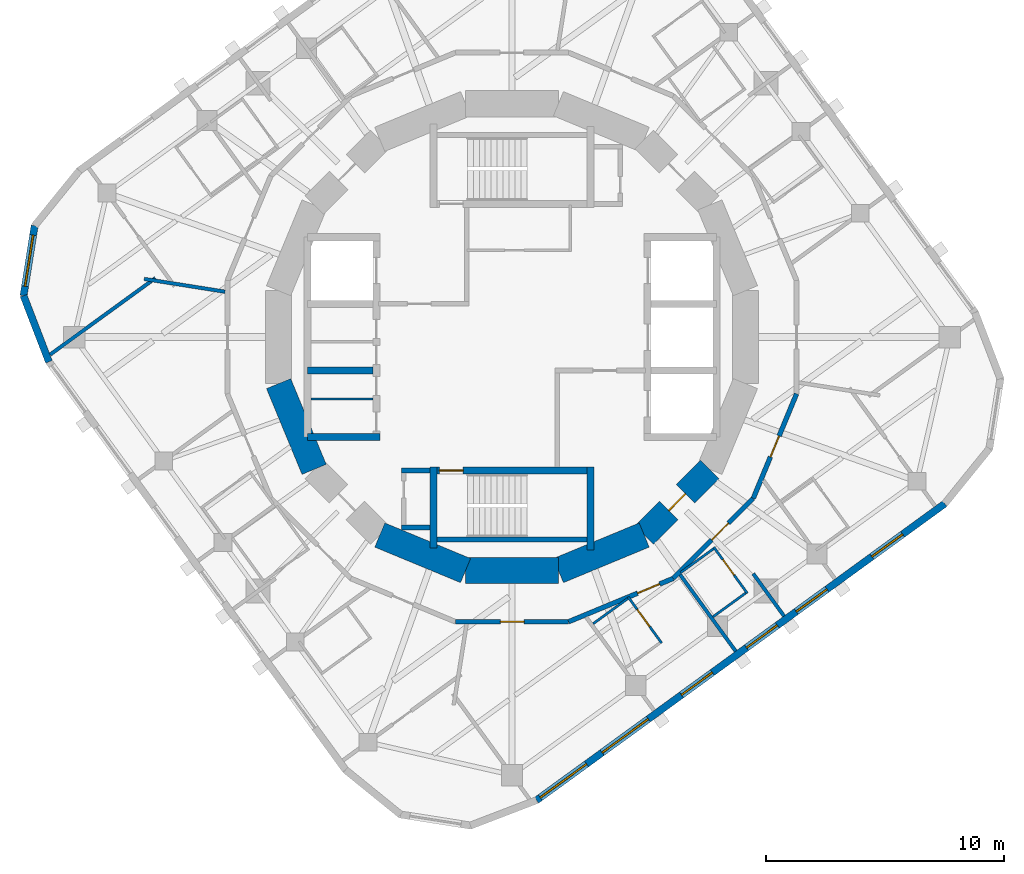
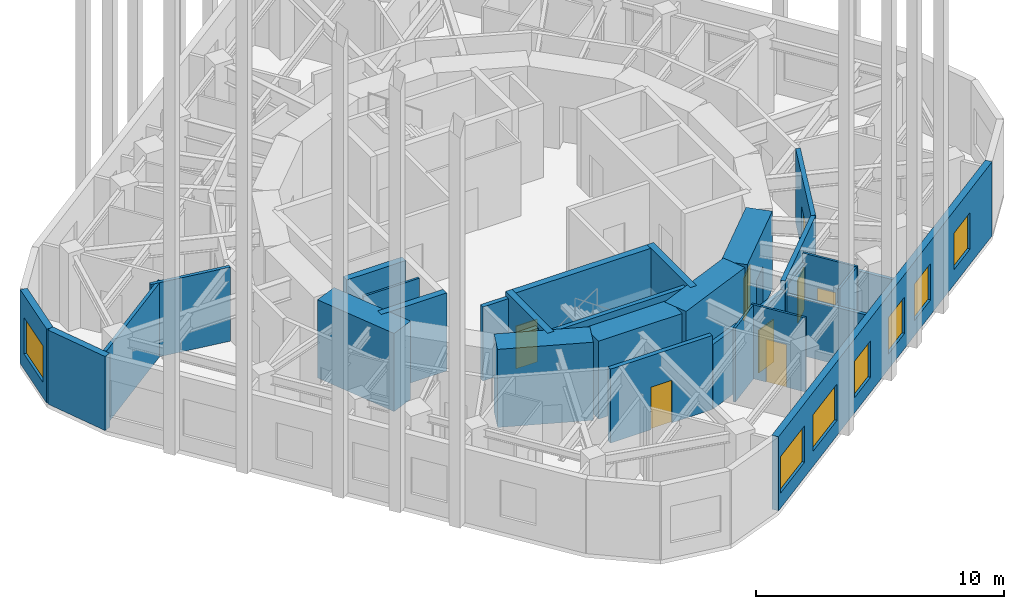
# One storey, part 4 of 9: 30 walls, 8 doors, 7 windows, 15 openings.
"""IFC4 building model written with IfcOpenShell, lengths in metres."""

from ifc_helpers import new_model, si_unit, direction, frame, frame_2d, origin, place, context, subcontext, project, spatial, rectangle, extrude, material, layer, layer_set, type_object, element, fill, save


model = new_model("IFC4")

# Units and contexts
model_context = context("Model", 3, precision=1e-05, world=origin(), true_north=direction((0.0, 1.0)))
body_context = subcontext(model_context, "Body", "Model", "MODEL_VIEW")
ifc_project = project(units=[si_unit("LENGTHUNIT", "METRE"), si_unit("AREAUNIT", "SQUARE_METRE"), si_unit("VOLUMEUNIT", "CUBIC_METRE"), si_unit("PLANEANGLEUNIT", "RADIAN"), si_unit("MASSUNIT", "GRAM", prefix="KILO")], contexts=[model_context])

# Site, building, storey
site_placement = place(None, origin())
site = spatial("IfcSite", under=ifc_project, at=site_placement, CompositionType="ELEMENT")
building_placement = place(site_placement, origin())
building = spatial("IfcBuilding", under=site, at=building_placement, Name="Nakasero Lantern House", CompositionType="ELEMENT")
storey_placement = place(building_placement, frame((0.0, 0.0, 263.75)))
storey = spatial("IfcBuildingStorey", under=building, at=storey_placement, Name="L64", CompositionType="ELEMENT", Elevation=263.75)

# Walls
ifc_material_1 = material(Name="Concrete C50/60", Category="concrete")
ifc_layer_1 = layer(ifc_material_1, 0.300048828125)
ifc_layer_set_1 = layer_set([ifc_layer_1], Name="Core inner wall 300")
wall_type_1 = type_object("IfcWallType", Name="Core inner wall 300", PredefinedType="SHEAR", material=ifc_layer_set_1)
wall_1_placement = place(storey_placement, frame((-8.60009765625, -4.199951171875, 0.0), z_axis=(0.0, 0.0, 1.0), x_axis=(1.0, 0.0, 0.0)))
element("IfcWall", 1, at=wall_1_placement, inside=storey, type_object=wall_type_1, Name="Core inner wall L64 LWS", PredefinedType="SHEAR", context=body_context, shape_type="SweptSolid", body=[
    extrude(rectangle(XDim=3.050048828125, YDim=0.300048828125, at=frame_2d((1.52490234375, 0.0))), origin(), (0.0, 0.0, 1.0), 3.85009765625),
])
wall_2_placement = place(storey_placement, frame((-8.60009765625, -1.39990234375, 0.0), z_axis=(0.0, 0.0, 1.0), x_axis=(1.0, 0.0, 0.0)))
element("IfcWall", 2, at=wall_2_placement, inside=storey, type_object=wall_type_1, Name="Core inner wall L64 LW1", PredefinedType="SHEAR", context=body_context, shape_type="SweptSolid", body=[
    extrude(rectangle(XDim=2.75, YDim=0.300048828125, at=frame_2d((1.375, 0.0))), origin(), (0.0, 0.0, 1.0), 3.85009765625),
])

# Wall, opening, door
wall_3_placement = place(storey_placement, frame((-3.449951171875, -5.60009765625, 0.0), z_axis=(0.0, 0.0, 1.0), x_axis=(1.0, 0.0, 0.0)))
wall_3 = element("IfcWall", 3, at=wall_3_placement, inside=storey, type_object=wall_type_1, Name="Core inner wall L64 SS", PredefinedType="SHEAR", context=body_context, shape_type="SweptSolid", body=[
    extrude(rectangle(XDim=6.89990234375, YDim=0.300048828125, at=frame_2d((3.449951171875, 0.0))), origin(), (0.0, 0.0, 1.0), 3.85009765625),
])
opening_1_placement = place(wall_3_placement, frame((0.39990234375, 0.0, 0.0)))
opening_1 = element("IfcOpeningElement", 4, at=opening_1_placement, cuts=wall_3, Name="Opening D05", PredefinedType="OPENING", context=body_context, shape_type="SweptSolid", body=[
    extrude(rectangle(XDim=1.0, YDim=2.10009765625, at=frame_2d((0.5, 1.050048828125))), frame((0.0, 0.169921875, 0.0), z_axis=(0.0, -1.0, 0.0), x_axis=(1.0, 0.0, 0.0)), (0.0, 0.0, 1.0), 0.340087890625),
])
ifc_material_2 = material(Name="Timber C24", Category="wood")
door_type_1 = type_object("IfcDoorType", Name="Core door FD60S 1000", OperationType="SINGLE_SWING_LEFT", PredefinedType="DOOR", material=ifc_material_2)
door_1_placement = place(opening_1_placement, origin())
door_1 = element("IfcDoor", 5, at=door_1_placement, inside=storey, type_object=door_type_1, Name="Door L64 D-ST2", OperationType="SINGLE_SWING_LEFT", OverallHeight=2.10009765625, OverallWidth=1.0, PredefinedType="DOOR", context=body_context, shape_type="SweptSolid", body=[
    extrude(rectangle(XDim=1.0, YDim=2.10009765625, at=frame_2d((0.5, 1.050048828125))), frame((0.0, 0.02490234375, 0.0), z_axis=(0.0, -1.0, 0.0), x_axis=(1.0, 0.0, 0.0)), (0.0, 0.0, 1.0), 0.050048828125),
])
fill(opening_1, door_1)

# Walls
wall_4_placement = place(storey_placement, frame((-3.300048828125, -5.449951171875, 0.0), z_axis=(0.0, 0.0, 1.0), x_axis=(0.0, -1.0, 0.0)))
element("IfcWall", 6, at=wall_4_placement, inside=storey, type_object=wall_type_1, Name="Core inner wall L64 SSW", PredefinedType="SHEAR", context=body_context, shape_type="SweptSolid", body=[
    extrude(rectangle(XDim=3.400146484375, YDim=0.300048828125, at=frame_2d((1.7001953125, 0.0))), origin(), (0.0, 0.0, 1.0), 3.85009765625),
])
wall_5_placement = place(storey_placement, frame((3.300048828125, -5.449951171875, 0.0), z_axis=(0.0, 0.0, 1.0), x_axis=(0.0, -1.0, 0.0)))
element("IfcWall", 7, at=wall_5_placement, inside=storey, type_object=wall_type_1, Name="Core inner wall L64 SSE", PredefinedType="SHEAR", context=body_context, shape_type="SweptSolid", body=[
    extrude(rectangle(XDim=3.5, YDim=0.300048828125, at=frame_2d((1.75, 0.0))), origin(), (0.0, 0.0, 1.0), 3.85009765625),
])
ifc_material_3 = material(Name="Blockwork", Category="masonry")
ifc_layer_2 = layer(ifc_material_3, 0.10009765625)
ifc_layer_set_2 = layer_set([ifc_layer_2], Name="Core room wall 100")
wall_type_2 = type_object("IfcWallType", Name="Core room wall 100", PredefinedType="PARTITIONING", material=ifc_layer_set_2)
wall_6_placement = place(storey_placement, frame((-8.449951171875, -2.60009765625, 0.0), z_axis=(0.0, 0.0, 1.0), x_axis=(1.0, 0.0, 0.0)))
element("IfcWall", 8, at=wall_6_placement, inside=storey, type_object=wall_type_2, Name="Core room wall L64 CR-SH-LW1b", PredefinedType="PARTITIONING", context=body_context, shape_type="SweptSolid", body=[
    extrude(rectangle(XDim=2.599853515625, YDim=0.10009765625, at=frame_2d((1.2998046875, 0.0))), origin(), (0.0, 0.0, 1.0), 3.64990234375),
])
ifc_material_4 = material(Name="Concrete C50/60", Category="concrete")
ifc_layer_3 = layer(ifc_material_4, 1.10009765625)
ifc_layer_set_3 = layer_set([ifc_layer_3], Name="Core wall 1100")
wall_type_3 = type_object("IfcWallType", Name="Core wall 1100", PredefinedType="SHEAR", material=ifc_layer_set_3)
for number, where, z_axis, x_axis, name in (
    (9, (-9.807861328125, -1.950927734375, 0.0), (0.0, 0.0, 1.0), (0.382690736062, -0.923876507187, 0.0), "Core wall L64 facet 9"),
    (10, (-5.5556640625, -8.314697265625, 0.0), (0.0, 0.0, 1.0), (0.923876507187, -0.382690736062, 0.0), "Core wall L64 facet 11"),
    (11, (-1.950927734375, -9.807861328125, 0.0), (0.0, 0.0, 1.0), (1.0, 0.0, 0.0), "Core wall L64 facet 12"),
    (12, (1.950927734375, -9.807861328125, 0.0), (0.0, 0.0, 1.0), (0.923876507187, 0.382690736062, 0.0), "Core wall L64 facet 13"),
):
    element("IfcWall", number, at=place(storey_placement, frame(where, z_axis=z_axis, x_axis=x_axis)), inside=storey, type_object=wall_type_3, Name=name, PredefinedType="SHEAR", context=body_context, shape_type="SweptSolid", body=[
        extrude(rectangle(XDim=3.90185546875, YDim=1.10009765625, at=frame_2d((1.950927734375, 0.0))), origin(), (0.0, 0.0, 1.0), 3.85009765625),
    ])

# Wall, opening, door
wall_7_placement = place(storey_placement, frame((5.5556640625, -8.314697265625, 0.0), z_axis=(0.0, 0.0, 1.0), x_axis=(0.707106781187, 0.707106781187, 0.0)))
wall_7 = element("IfcWall", 13, at=wall_7_placement, inside=storey, type_object=wall_type_3, Name="Core wall L64 facet 14", PredefinedType="SHEAR", context=body_context, shape_type="SweptSolid", body=[
    extrude(rectangle(XDim=3.90185546875, YDim=1.10009765625, at=frame_2d((1.950927734375, 0.0))), origin(), (0.0, 0.0, 1.0), 3.85009765625),
])
opening_2_placement = place(wall_7_placement, frame((1.450927734375, 0.0, 0.0)))
opening_2 = element("IfcOpeningElement", 14, at=opening_2_placement, cuts=wall_7, Name="Opening D05", PredefinedType="OPENING", context=body_context, shape_type="SweptSolid", body=[
    extrude(rectangle(XDim=1.0, YDim=2.10009765625, at=frame_2d((0.5, 1.050048828125))), frame((0.0, 0.570068359375, 0.0), z_axis=(0.0, -1.0, 0.0), x_axis=(1.0, 0.0, 0.0)), (0.0, 0.0, 1.0), 1.14013671875),
])
door_2_placement = place(opening_2_placement, origin())
door_2 = element("IfcDoor", 15, at=door_2_placement, inside=storey, type_object=door_type_1, Name="Door L64 D-CORE14", OperationType="SINGLE_SWING_LEFT", OverallHeight=2.10009765625, OverallWidth=1.0, PredefinedType="DOOR", context=body_context, shape_type="SweptSolid", body=[
    extrude(rectangle(XDim=1.0, YDim=2.10009765625, at=frame_2d((0.5, 1.050048828125))), frame((0.0, 0.02490234375, 0.0), z_axis=(0.0, -1.0, 0.0), x_axis=(1.0, 0.0, 0.0)), (0.0, 0.0, 1.0), 0.050048828125),
])
fill(opening_2, door_2)

ifc_material_5 = material(Name="Blockwork", Category="masonry")
ifc_layer_4 = layer(ifc_material_5, 0.199951171875)
ifc_layer_set_4 = layer_set([ifc_layer_4], Name="Corridor wall 200")
wall_type_4 = type_object("IfcWallType", Name="Corridor wall 200", PredefinedType="PARTITIONING", material=ifc_layer_set_4)
wall_8_placement = place(storey_placement, frame((11.957763671875, -2.378662109375, 0.0), z_axis=(0.0, 0.0, 1.0), x_axis=(-0.382653970627, -0.923891735412, 0.0)))
wall_8 = element("IfcWall", 16, at=wall_8_placement, inside=storey, type_object=wall_type_4, Name="Corridor wall L64 RC01a", PredefinedType="PARTITIONING", context=body_context, shape_type="SweptSolid", body=[
    extrude(rectangle(XDim=4.757080078125, YDim=0.199951171875, at=frame_2d((2.37841796875, 0.0))), origin(), (0.0, 0.0, 1.0), 3.64990234375),
])
opening_3_placement = place(wall_8_placement, frame((1.919921875, 0.0, 0.0)))
opening_3 = element("IfcOpeningElement", 17, at=opening_3_placement, cuts=wall_8, Name="Opening D01", PredefinedType="OPENING", context=body_context, shape_type="SweptSolid", body=[
    extrude(rectangle(XDim=0.949951171875, YDim=2.10009765625, at=frame_2d((0.47509765625, 1.050048828125))), frame((0.0, 0.119873046875, 0.0), z_axis=(0.0, -1.0, 0.0), x_axis=(1.0, 0.0, 0.0)), (0.0, 0.0, 1.0), 0.239990234375),
])
ifc_material_6 = material(Name="Timber C24", Category="wood")
door_type_2 = type_object("IfcDoorType", Name="Bedroom door FD30S 950", OperationType="SINGLE_SWING_LEFT", PredefinedType="DOOR", material=ifc_material_6)
door_3_placement = place(opening_3_placement, origin())
door_3 = element("IfcDoor", 18, at=door_3_placement, inside=storey, type_object=door_type_2, Name="Door L64 D3-06", OperationType="SINGLE_SWING_RIGHT", OverallHeight=2.10009765625, OverallWidth=0.949951171875, PredefinedType="DOOR", context=body_context, shape_type="SweptSolid", body=[
    extrude(rectangle(XDim=0.949951171875, YDim=2.10009765625, at=frame_2d((0.47509765625, 1.050048828125))), frame((0.0, 0.02490234375, 0.0), z_axis=(0.0, -1.0, 0.0), x_axis=(1.0, 0.0, 0.0)), (0.0, 0.0, 1.0), 0.050048828125),
])
fill(opening_3, door_3)

wall_9_placement = place(storey_placement, frame((10.137451171875, -6.773681640625, 0.0), z_axis=(0.0, 0.0, 1.0), x_axis=(-0.707106781187, -0.707106781187, 0.0)))
wall_9 = element("IfcWall", 19, at=wall_9_placement, inside=storey, type_object=wall_type_4, Name="Corridor wall L64 RC02a", PredefinedType="PARTITIONING", context=body_context, shape_type="SweptSolid", body=[
    extrude(rectangle(XDim=4.757080078125, YDim=0.199951171875, at=frame_2d((2.37841796875, 0.0))), origin(), (0.0, 0.0, 1.0), 3.64990234375),
])
opening_4_placement = place(wall_9_placement, frame((1.469970703125, 0.0, 0.0)))
opening_4 = element("IfcOpeningElement", 20, at=opening_4_placement, cuts=wall_9, Name="Opening D07", PredefinedType="OPENING", context=body_context, shape_type="SweptSolid", body=[
    extrude(rectangle(XDim=1.0, YDim=2.10009765625, at=frame_2d((0.5, 1.050048828125))), frame((0.0, 0.119873046875, 0.0), z_axis=(0.0, -1.0, 0.0), x_axis=(1.0, 0.0, 0.0)), (0.0, 0.0, 1.0), 0.239990234375),
])
ifc_material_7 = material(Name="Timber C24", Category="wood")
door_type_3 = type_object("IfcDoorType", Name="Room door FD30S 1000", OperationType="SINGLE_SWING_LEFT", PredefinedType="DOOR", material=ifc_material_7)
door_4_placement = place(opening_4_placement, origin())
door_4 = element("IfcDoor", 21, at=door_4_placement, inside=storey, type_object=door_type_3, Name="Door L64 D3-04", OperationType="SINGLE_SWING_LEFT", OverallHeight=2.10009765625, OverallWidth=1.0, PredefinedType="DOOR", context=body_context, shape_type="SweptSolid", body=[
    extrude(rectangle(XDim=1.0, YDim=2.10009765625, at=frame_2d((0.5, 1.050048828125))), frame((0.0, 0.02490234375, 0.0), z_axis=(0.0, -1.0, 0.0), x_axis=(1.0, 0.0, 0.0)), (0.0, 0.0, 1.0), 0.050048828125),
])
fill(opening_4, door_4)

wall_10_placement = place(storey_placement, frame((6.773681640625, -10.137451171875, 0.0), z_axis=(0.0, 0.0, 1.0), x_axis=(-0.923891735412, -0.382653970627, 0.0)))
wall_10 = element("IfcWall", 22, at=wall_10_placement, inside=storey, type_object=wall_type_4, Name="Corridor wall L64 RC03a", PredefinedType="PARTITIONING", context=body_context, shape_type="SweptSolid", body=[
    extrude(rectangle(XDim=4.757080078125, YDim=0.199951171875, at=frame_2d((2.37841796875, 0.0))), origin(), (0.0, 0.0, 1.0), 3.18994140625),
])
opening_5_placement = place(wall_10_placement, frame((0.6201171875, 0.0, 0.0)))
opening_5 = element("IfcOpeningElement", 23, at=opening_5_placement, cuts=wall_10, Name="Opening D07", PredefinedType="OPENING", context=body_context, shape_type="SweptSolid", body=[
    extrude(rectangle(XDim=1.0, YDim=2.10009765625, at=frame_2d((0.5, 1.050048828125))), frame((0.0, 0.119873046875, 0.0), z_axis=(0.0, -1.0, 0.0), x_axis=(1.0, 0.0, 0.0)), (0.0, 0.0, 1.0), 0.239990234375),
])
door_5_placement = place(opening_5_placement, origin())
door_5 = element("IfcDoor", 24, at=door_5_placement, inside=storey, type_object=door_type_3, Name="Door L64 D3-03", OperationType="SINGLE_SWING_LEFT", OverallHeight=2.10009765625, OverallWidth=1.0, PredefinedType="DOOR", context=body_context, shape_type="SweptSolid", body=[
    extrude(rectangle(XDim=1.0, YDim=2.10009765625, at=frame_2d((0.5, 1.050048828125))), frame((0.0, 0.02490234375, 0.0), z_axis=(0.0, -1.0, 0.0), x_axis=(1.0, 0.0, 0.0)), (0.0, 0.0, 1.0), 0.050048828125),
])
fill(opening_5, door_5)

wall_11_placement = place(storey_placement, frame((2.378662109375, -11.957763671875, 0.0), z_axis=(0.0, 0.0, 1.0), x_axis=(-1.0, 0.0, 0.0)))
wall_11 = element("IfcWall", 25, at=wall_11_placement, inside=storey, type_object=wall_type_4, Name="Corridor wall L64 RC04a", PredefinedType="PARTITIONING", context=body_context, shape_type="SweptSolid", body=[
    extrude(rectangle(XDim=4.75732421875, YDim=0.199951171875, at=frame_2d((2.378662109375, 0.0))), origin(), (0.0, 0.0, 1.0), 3.64990234375),
])
opening_6_placement = place(wall_11_placement, frame((1.8701171875, 0.0, 0.0)))
opening_6 = element("IfcOpeningElement", 26, at=opening_6_placement, cuts=wall_11, Name="Opening D03", PredefinedType="OPENING", context=body_context, shape_type="SweptSolid", body=[
    extrude(rectangle(XDim=1.0, YDim=2.10009765625, at=frame_2d((0.5, 1.050048828125))), frame((0.0, 0.119873046875, 0.0), z_axis=(0.0, -1.0, 0.0), x_axis=(1.0, 0.0, 0.0)), (0.0, 0.0, 1.0), 0.239990234375),
])
ifc_material_8 = material(Name="Timber C24", Category="wood")
door_type_4 = type_object("IfcDoorType", Name="Lounge door FD30S 1000", OperationType="SINGLE_SWING_LEFT", PredefinedType="DOOR", material=ifc_material_8)
door_6_placement = place(opening_6_placement, origin())
door_6 = element("IfcDoor", 27, at=door_6_placement, inside=storey, type_object=door_type_4, Name="Door L64 DK3", OperationType="SINGLE_SWING_LEFT", OverallHeight=2.10009765625, OverallWidth=1.0, PredefinedType="DOOR", context=body_context, shape_type="SweptSolid", body=[
    extrude(rectangle(XDim=1.0, YDim=2.10009765625, at=frame_2d((0.5, 1.050048828125))), frame((0.0, 0.02490234375, 0.0), z_axis=(0.0, -1.0, 0.0), x_axis=(1.0, 0.0, 0.0)), (0.0, 0.0, 1.0), 0.050048828125),
])
fill(opening_6, door_6)

ifc_material_9 = material(Name="Blockwork", Category="masonry")
ifc_layer_5 = layer(ifc_material_9, 0.10009765625)
ifc_layer_set_5 = layer_set([ifc_layer_5], Name="En-suite wall 100")
wall_type_5 = type_object("IfcWallType", Name="En-suite wall 100", PredefinedType="PARTITIONING", material=ifc_layer_set_5)
wall_12_placement = place(storey_placement, frame((4.878173828125, -10.912841796875, 0.0), z_axis=(0.0, 0.0, 1.0), x_axis=(0.587772420479, -0.809026317077, 0.0)))
wall_12 = element("IfcWall", 28, at=wall_12_placement, inside=storey, type_object=wall_type_5, Name="En-suite wall L64 ES3-03", PredefinedType="PARTITIONING", context=body_context, shape_type="SweptSolid", body=[
    extrude(rectangle(XDim=2.39990234375, YDim=0.10009765625, at=frame_2d((1.199951171875, 0.0))), origin(), (0.0, 0.0, 1.0), 3.64990234375),
])
opening_7_placement = place(wall_12_placement, frame((0.64990234375, 0.0, 0.0)))
opening_7 = element("IfcOpeningElement", 29, at=opening_7_placement, cuts=wall_12, Name="Opening D16", PredefinedType="OPENING", context=body_context, shape_type="SweptSolid", body=[
    extrude(rectangle(XDim=0.89990234375, YDim=2.10009765625, at=frame_2d((0.449951171875, 1.050048828125))), frame((0.0, 0.070068359375, 0.0), z_axis=(0.0, -1.0, 0.0), x_axis=(1.0, 0.0, 0.0)), (0.0, 0.0, 1.0), 0.14013671875),
])
ifc_material_10 = material(Name="Timber C24", Category="wood")
door_type_5 = type_object("IfcDoorType", Name="Accessible WC door 900", OperationType="SINGLE_SWING_RIGHT", PredefinedType="DOOR", material=ifc_material_10)
door_7_placement = place(opening_7_placement, origin())
door_7 = element("IfcDoor", 30, at=door_7_placement, inside=storey, type_object=door_type_5, Name="Door L64 DE3-03", OperationType="SINGLE_SWING_LEFT", OverallHeight=2.10009765625, OverallWidth=0.89990234375, PredefinedType="DOOR", context=body_context, shape_type="SweptSolid", body=[
    extrude(rectangle(XDim=0.89990234375, YDim=2.10009765625, at=frame_2d((0.449951171875, 1.050048828125))), frame((0.0, 0.02490234375, 0.0), z_axis=(0.0, -1.0, 0.0), x_axis=(1.0, 0.0, 0.0)), (0.0, 0.0, 1.0), 0.050048828125),
])
fill(opening_7, door_7)

# Wall
wall_13_placement = place(storey_placement, frame((3.410888671875, -12.040771484375, 0.0), z_axis=(0.0, 0.0, 1.0), x_axis=(0.809005783898, 0.58780068188, 0.0)))
element("IfcWall", 31, at=wall_13_placement, inside=storey, type_object=wall_type_5, Name="En-suite wall L64 EI3-03", PredefinedType="PARTITIONING", context=body_context, shape_type="SweptSolid", body=[
    extrude(rectangle(XDim=1.800048828125, YDim=0.10009765625, at=frame_2d((0.89990234375, 0.0))), origin(), (0.0, 0.0, 1.0), 3.64990234375),
])

# Wall, opening, door
wall_14_placement = place(storey_placement, frame((8.47802734375, -8.822021484375, 0.0), z_axis=(0.0, 0.0, 1.0), x_axis=(0.587772420479, -0.809026317077, 0.0)))
wall_14 = element("IfcWall", 32, at=wall_14_placement, inside=storey, type_object=wall_type_5, Name="En-suite wall L64 ES3-04", PredefinedType="PARTITIONING", context=body_context, shape_type="SweptSolid", body=[
    extrude(rectangle(XDim=2.39990234375, YDim=0.10009765625, at=frame_2d((1.199951171875, 0.0))), origin(), (0.0, 0.0, 1.0), 3.64990234375),
])
opening_8_placement = place(wall_14_placement, frame((0.64990234375, 0.0, 0.0)))
opening_8 = element("IfcOpeningElement", 33, at=opening_8_placement, cuts=wall_14, Name="Opening D15", PredefinedType="OPENING", context=body_context, shape_type="SweptSolid", body=[
    extrude(rectangle(XDim=0.800048828125, YDim=2.10009765625, at=frame_2d((0.39990234375, 1.050048828125))), frame((0.0, 0.070068359375, 0.0), z_axis=(0.0, -1.0, 0.0), x_axis=(1.0, 0.0, 0.0)), (0.0, 0.0, 1.0), 0.14013671875),
])
ifc_material_11 = material(Name="Timber C24", Category="wood")
door_type_6 = type_object("IfcDoorType", Name="Cleaner's store door FD30S 800", OperationType="SINGLE_SWING_LEFT", PredefinedType="DOOR", material=ifc_material_11)
door_8_placement = place(opening_8_placement, origin())
door_8 = element("IfcDoor", 34, at=door_8_placement, inside=storey, type_object=door_type_6, Name="Door L64 DE3-04", OperationType="SINGLE_SWING_LEFT", OverallHeight=2.10009765625, OverallWidth=0.800048828125, PredefinedType="DOOR", context=body_context, shape_type="SweptSolid", body=[
    extrude(rectangle(XDim=0.800048828125, YDim=2.10009765625, at=frame_2d((0.39990234375, 1.050048828125))), frame((0.0, 0.02490234375, 0.0), z_axis=(0.0, -1.0, 0.0), x_axis=(1.0, 0.0, 0.0)), (0.0, 0.0, 1.0), 0.050048828125),
])
fill(opening_8, door_8)

# Walls
wall_15_placement = place(storey_placement, frame((8.443359375, -11.751708984375, 0.0), z_axis=(0.0, 0.0, 1.0), x_axis=(0.809040252033, 0.58775323954, 0.0)))
element("IfcWall", 35, at=wall_15_placement, inside=storey, type_object=wall_type_5, Name="En-suite wall L64 EE3-04", PredefinedType="PARTITIONING", context=body_context, shape_type="SweptSolid", body=[
    extrude(rectangle(XDim=1.7001953125, YDim=0.10009765625, at=frame_2d((0.85009765625, 0.0))), origin(), (0.0, 0.0, 1.0), 3.64990234375),
])
wall_16_placement = place(storey_placement, frame((7.091552734375, -9.89111328125, 0.0), z_axis=(0.0, 0.0, 1.0), x_axis=(0.808990636343, 0.587821529301, 0.0)))
element("IfcWall", 36, at=wall_16_placement, inside=storey, type_object=wall_type_5, Name="En-suite wall L64 EI3-04", PredefinedType="PARTITIONING", context=body_context, shape_type="SweptSolid", body=[
    extrude(rectangle(XDim=1.699951171875, YDim=0.10009765625, at=frame_2d((0.85009765625, 0.0))), origin(), (0.0, 0.0, 1.0), 3.18994140625),
])

# Wall, opening, window
ifc_material_12 = material(Name="Aluminium rainscreen on blockwork", Category="masonry")
ifc_layer_6 = layer(ifc_material_12, 0.300048828125)
ifc_layer_set_6 = layer_set([ifc_layer_6], Name="Facade wall 300")
wall_type_6 = type_object("IfcWallType", Name="Facade wall 300", PredefinedType="SOLIDWALL", material=ifc_layer_set_6)
wall_17_placement = place(storey_placement, frame((-20.05908203125, 4.683837890625, 0.0), z_axis=(0.0, 0.0, 1.0), x_axis=(-0.156413227021, -0.987691704133, 0.0)))
wall_17 = element("IfcWall", 37, at=wall_17_placement, inside=storey, type_object=wall_type_6, Name="Facade wall L64 FW1C2", PredefinedType="SOLIDWALL", context=body_context, shape_type="SweptSolid", body=[
    extrude(rectangle(XDim=2.9765625, YDim=0.300048828125, at=frame_2d((1.48828125, 0.0))), origin(), (0.0, 0.0, 1.0), 3.64990234375),
])
opening_9_placement = place(wall_17_placement, frame((0.39990234375, 0.0, 0.75)))
opening_9 = element("IfcOpeningElement", 38, at=opening_9_placement, cuts=wall_17, Name="Opening W221", PredefinedType="OPENING", context=body_context, shape_type="SweptSolid", body=[
    extrude(rectangle(XDim=2.176025390625, YDim=1.800048828125, at=frame_2d((1.087890625, 0.89990234375))), frame((0.0, 0.169921875, 0.0), z_axis=(0.0, -1.0, 0.0), x_axis=(1.0, 0.0, 0.0)), (0.0, 0.0, 1.0), 0.340087890625),
])
ifc_material_13 = material(Name="Aluminium 6063-T6 and glass", Category="aluminium")
window_type_1 = type_object("IfcWindowType", Name="Corner window 2176x1800", PartitioningType="SINGLE_PANEL", PredefinedType="WINDOW", material=ifc_material_13)
window_1_placement = place(opening_9_placement, origin())
window_1 = element("IfcWindow", 39, at=window_1_placement, inside=storey, type_object=window_type_1, Name="Window L64 WC1", OverallHeight=1.800048828125, OverallWidth=2.176025390625, PartitioningType="SINGLE_PANEL", PredefinedType="WINDOW", context=body_context, shape_type="SweptSolid", body=[
    extrude(rectangle(XDim=2.176025390625, YDim=1.800048828125, at=frame_2d((1.087890625, 0.89990234375))), frame((0.0, 0.030029296875, 0.0), z_axis=(0.0, -1.0, 0.0), x_axis=(1.0, 0.0, 0.0)), (0.0, 0.0, 1.0), 0.06005859375),
])
fill(opening_9, window_1)

# Wall
wall_18_placement = place(storey_placement, frame((-20.524658203125, 1.743896484375, 0.0), z_axis=(0.0, 0.0, 1.0), x_axis=(0.35838535244, -0.933573745966, 0.0)))
element("IfcWall", 40, at=wall_18_placement, inside=storey, type_object=wall_type_6, Name="Facade wall L64 FW1C3", PredefinedType="SOLIDWALL", context=body_context, shape_type="SweptSolid", body=[
    extrude(rectangle(XDim=2.976318359375, YDim=0.300048828125, at=frame_2d((1.48828125, 0.0))), origin(), (0.0, 0.0, 1.0), 3.64990234375),
])

# Wall, openings, windows
wall_19_placement = place(storey_placement, frame((1.03466796875, -19.4580078125, 0.0), z_axis=(0.0, 0.0, 1.0), x_axis=(0.809013375328, 0.587790233451, 0.0)))
wall_19 = element("IfcWall", 41, at=wall_19_placement, inside=storey, type_object=wall_type_6, Name="Facade wall L64 FW3S", PredefinedType="SOLIDWALL", context=body_context, shape_type="SweptSolid", body=[
    extrude(rectangle(XDim=21.199951171875, YDim=0.300048828125, at=frame_2d((10.60009765625, 0.0))), origin(), (0.0, 0.0, 1.0), 3.64990234375),
])
opening_10_placement = place(wall_19_placement, frame((7.52783203125, 0.0, 0.75)))
opening_10 = element("IfcOpeningElement", 42, at=opening_10_placement, cuts=wall_19, Name="Opening W01", PredefinedType="OPENING", context=body_context, shape_type="SweptSolid", body=[
    extrude(rectangle(XDim=1.60009765625, YDim=1.800048828125, at=frame_2d((0.800048828125, 0.89990234375))), frame((0.0, 0.169921875, 0.0), z_axis=(0.0, -1.0, 0.0), x_axis=(1.0, 0.0, 0.0)), (0.0, 0.0, 1.0), 0.340087890625),
])
opening_11_placement = place(wall_19_placement, frame((10.904052734375, 0.0, 0.75)))
opening_11 = element("IfcOpeningElement", 43, at=opening_11_placement, cuts=wall_19, Name="Opening W01", PredefinedType="OPENING", context=body_context, shape_type="SweptSolid", body=[
    extrude(rectangle(XDim=1.60009765625, YDim=1.800048828125, at=frame_2d((0.800048828125, 0.89990234375))), frame((0.0, 0.169921875, 0.0), z_axis=(0.0, -1.0, 0.0), x_axis=(1.0, 0.0, 0.0)), (0.0, 0.0, 1.0), 0.340087890625),
])
opening_12_placement = place(wall_19_placement, frame((13.484619140625, 0.0, 0.75)))
opening_12 = element("IfcOpeningElement", 44, at=opening_12_placement, cuts=wall_19, Name="Opening W01", PredefinedType="OPENING", context=body_context, shape_type="SweptSolid", body=[
    extrude(rectangle(XDim=1.60009765625, YDim=1.800048828125, at=frame_2d((0.800048828125, 0.89990234375))), frame((0.0, 0.169921875, 0.0), z_axis=(0.0, -1.0, 0.0), x_axis=(1.0, 0.0, 0.0)), (0.0, 0.0, 1.0), 0.340087890625),
])
opening_13_placement = place(wall_19_placement, frame((17.410888671875, 0.0, 0.75)))
opening_13 = element("IfcOpeningElement", 45, at=opening_13_placement, cuts=wall_19, Name="Opening W01", PredefinedType="OPENING", context=body_context, shape_type="SweptSolid", body=[
    extrude(rectangle(XDim=1.60009765625, YDim=1.800048828125, at=frame_2d((0.800048828125, 0.89990234375))), frame((0.0, 0.169921875, 0.0), z_axis=(0.0, -1.0, 0.0), x_axis=(1.0, 0.0, 0.0)), (0.0, 0.0, 1.0), 0.340087890625),
])
opening_14_placement = place(wall_19_placement, frame((0.1904296875, 0.0, 0.75)))
opening_14 = element("IfcOpeningElement", 46, at=opening_14_placement, cuts=wall_19, Name="Opening W03", PredefinedType="OPENING", context=body_context, shape_type="SweptSolid", body=[
    extrude(rectangle(XDim=2.39990234375, YDim=1.800048828125, at=frame_2d((1.199951171875, 0.89990234375))), frame((0.0, 0.169921875, 0.0), z_axis=(0.0, -1.0, 0.0), x_axis=(1.0, 0.0, 0.0)), (0.0, 0.0, 1.0), 0.340087890625),
])
opening_15_placement = place(wall_19_placement, frame((3.401611328125, 0.0, 0.75)))
opening_15 = element("IfcOpeningElement", 47, at=opening_15_placement, cuts=wall_19, Name="Opening W03", PredefinedType="OPENING", context=body_context, shape_type="SweptSolid", body=[
    extrude(rectangle(XDim=2.39990234375, YDim=1.800048828125, at=frame_2d((1.199951171875, 0.89990234375))), frame((0.0, 0.169921875, 0.0), z_axis=(0.0, -1.0, 0.0), x_axis=(1.0, 0.0, 0.0)), (0.0, 0.0, 1.0), 0.340087890625),
])
ifc_material_14 = material(Name="Aluminium 6063-T6 and glass", Category="aluminium")
window_type_2 = type_object("IfcWindowType", Name="Bedroom window 1600x1800", PartitioningType="SINGLE_PANEL", PredefinedType="WINDOW", material=ifc_material_14)
window_2_placement = place(opening_10_placement, origin())
window_2 = element("IfcWindow", 48, at=window_2_placement, inside=storey, type_object=window_type_2, Name="Window L64 WN3-03", OverallHeight=1.800048828125, OverallWidth=1.60009765625, PartitioningType="SINGLE_PANEL", PredefinedType="WINDOW", context=body_context, shape_type="SweptSolid", body=[
    extrude(rectangle(XDim=1.60009765625, YDim=1.800048828125, at=frame_2d((0.800048828125, 0.89990234375))), frame((0.0, 0.030029296875, 0.0), z_axis=(0.0, -1.0, 0.0), x_axis=(1.0, 0.0, 0.0)), (0.0, 0.0, 1.0), 0.06005859375),
])
fill(opening_10, window_2)
window_3_placement = place(opening_11_placement, origin())
window_3 = element("IfcWindow", 49, at=window_3_placement, inside=storey, type_object=window_type_2, Name="Window L64 WN3-04", OverallHeight=1.800048828125, OverallWidth=1.60009765625, PartitioningType="SINGLE_PANEL", PredefinedType="WINDOW", context=body_context, shape_type="SweptSolid", body=[
    extrude(rectangle(XDim=1.60009765625, YDim=1.800048828125, at=frame_2d((0.800048828125, 0.89990234375))), frame((0.0, 0.030029296875, 0.0), z_axis=(0.0, -1.0, 0.0), x_axis=(1.0, 0.0, 0.0)), (0.0, 0.0, 1.0), 0.06005859375),
])
fill(opening_11, window_3)
window_4_placement = place(opening_12_placement, origin())
window_4 = element("IfcWindow", 50, at=window_4_placement, inside=storey, type_object=window_type_2, Name="Window L64 WN3-05", OverallHeight=1.800048828125, OverallWidth=1.60009765625, PartitioningType="SINGLE_PANEL", PredefinedType="WINDOW", context=body_context, shape_type="SweptSolid", body=[
    extrude(rectangle(XDim=1.60009765625, YDim=1.800048828125, at=frame_2d((0.800048828125, 0.89990234375))), frame((0.0, 0.030029296875, 0.0), z_axis=(0.0, -1.0, 0.0), x_axis=(1.0, 0.0, 0.0)), (0.0, 0.0, 1.0), 0.06005859375),
])
fill(opening_12, window_4)
window_5_placement = place(opening_13_placement, origin())
window_5 = element("IfcWindow", 51, at=window_5_placement, inside=storey, type_object=window_type_2, Name="Window L64 WN3-06", OverallHeight=1.800048828125, OverallWidth=1.60009765625, PartitioningType="SINGLE_PANEL", PredefinedType="WINDOW", context=body_context, shape_type="SweptSolid", body=[
    extrude(rectangle(XDim=1.60009765625, YDim=1.800048828125, at=frame_2d((0.800048828125, 0.89990234375))), frame((0.0, 0.030029296875, 0.0), z_axis=(0.0, -1.0, 0.0), x_axis=(1.0, 0.0, 0.0)), (0.0, 0.0, 1.0), 0.06005859375),
])
fill(opening_13, window_5)
ifc_material_15 = material(Name="Aluminium 6063-T6 and glass", Category="aluminium")
window_type_3 = type_object("IfcWindowType", Name="Lounge window 2400x1800", PartitioningType="SINGLE_PANEL", PredefinedType="WINDOW", material=ifc_material_15)
window_6_placement = place(opening_14_placement, origin())
window_6 = element("IfcWindow", 52, at=window_6_placement, inside=storey, type_object=window_type_3, Name="Window L64 WK3", OverallHeight=1.800048828125, OverallWidth=2.39990234375, PartitioningType="SINGLE_PANEL", PredefinedType="WINDOW", context=body_context, shape_type="SweptSolid", body=[
    extrude(rectangle(XDim=2.39990234375, YDim=1.800048828125, at=frame_2d((1.199951171875, 0.89990234375))), frame((0.0, 0.030029296875, 0.0), z_axis=(0.0, -1.0, 0.0), x_axis=(1.0, 0.0, 0.0)), (0.0, 0.0, 1.0), 0.06005859375),
])
fill(opening_14, window_6)
window_7_placement = place(opening_15_placement, origin())
window_7 = element("IfcWindow", 53, at=window_7_placement, inside=storey, type_object=window_type_3, Name="Window L64 WL3", OverallHeight=1.800048828125, OverallWidth=2.39990234375, PartitioningType="SINGLE_PANEL", PredefinedType="WINDOW", context=body_context, shape_type="SweptSolid", body=[
    extrude(rectangle(XDim=2.39990234375, YDim=1.800048828125, at=frame_2d((1.199951171875, 0.89990234375))), frame((0.0, 0.030029296875, 0.0), z_axis=(0.0, -1.0, 0.0), x_axis=(1.0, 0.0, 0.0)), (0.0, 0.0, 1.0), 0.06005859375),
])
fill(opening_15, window_7)

# Walls
ifc_material_16 = material(Name="Blockwork", Category="masonry")
ifc_layer_7 = layer(ifc_material_16, 0.199951171875)
ifc_layer_set_7 = layer_set([ifc_layer_7], Name="Fire lobby wall 200")
wall_type_7 = type_object("IfcWallType", Name="Fire lobby wall 200", PredefinedType="PARTITIONING", material=ifc_layer_set_7)
for number, where, z_axis, x_axis, name in (
    (54, (-3.449951171875, -8.0, 0.0), (0.0, 0.0, 1.0), (-1.0, 0.0, 0.0), "Fire lobby wall L64 W-RS2S"),
    (55, (-3.449951171875, -5.60009765625, 0.0), (0.0, 0.0, 1.0), (-1.0, 0.0, 0.0), "Fire lobby wall L64 W-RS2N"),
):
    element("IfcWall", number, at=place(storey_placement, frame(where, z_axis=z_axis, x_axis=x_axis)), inside=storey, type_object=wall_type_7, Name=name, PredefinedType="PARTITIONING", context=body_context, shape_type="SweptSolid", body=[
        extrude(rectangle(XDim=1.199951171875, YDim=0.199951171875, at=frame_2d((0.60009765625, 0.0))), origin(), (0.0, 0.0, 1.0), 3.64990234375),
    ])
wall_20_placement = place(storey_placement, frame((-3.300048828125, -8.5, 0.0), z_axis=(0.0, 0.0, 1.0), x_axis=(1.0, 0.0, 0.0)))
element("IfcWall", 56, at=wall_20_placement, inside=storey, type_object=wall_type_7, Name="Fire lobby wall L64 W-STS", PredefinedType="PARTITIONING", context=body_context, shape_type="SweptSolid", body=[
    extrude(rectangle(XDim=6.60009765625, YDim=0.199951171875, at=frame_2d((3.300048828125, 0.0))), origin(), (0.0, 0.0, 1.0), 3.64990234375),
])
ifc_material_17 = material(Name="Blockwork", Category="masonry")
ifc_layer_8 = layer(ifc_material_17, 0.14990234375)
ifc_layer_set_8 = layer_set([ifc_layer_8], Name="Party wall 150")
wall_type_8 = type_object("IfcWallType", Name="Party wall 150", PredefinedType="PARTITIONING", material=ifc_layer_set_8)
wall_21_placement = place(storey_placement, frame((-12.057861328125, 1.90966796875, 0.0), z_axis=(0.0, 0.0, 1.0), x_axis=(-0.987683439553, 0.156465405864, 0.0)))
element("IfcWall", 57, at=wall_21_placement, inside=storey, type_object=wall_type_8, Name="Party wall L64 PD1", PredefinedType="PARTITIONING", context=body_context, shape_type="SweptSolid", body=[
    extrude(rectangle(XDim=3.440673828125, YDim=0.14990234375, at=frame_2d((1.72021484375, 0.0))), origin(), (0.0, 0.0, 1.0), 3.64990234375),
])
wall_22_placement = place(storey_placement, frame((-14.9853515625, 2.48095703125, 0.0), z_axis=(0.0, 0.0, 1.0), x_axis=(-0.809023745549, -0.587775959987, 0.0)))
element("IfcWall", 58, at=wall_22_placement, inside=storey, type_object=wall_type_8, Name="Party wall L64 PW2-01", PredefinedType="PARTITIONING", context=body_context, shape_type="SweptSolid", body=[
    extrude(rectangle(XDim=5.466552734375, YDim=0.14990234375, at=frame_2d((2.7333984375, 0.0))), origin(), (0.0, 0.0, 1.0), 3.64990234375),
])
wall_23_placement = place(storey_placement, frame((10.13818359375, -9.939208984375, 0.0), z_axis=(0.0, 0.0, 1.0), x_axis=(0.587821928992, -0.808990345923, 0.0)))
element("IfcWall", 59, at=wall_23_placement, inside=storey, type_object=wall_type_8, Name="Party wall L64 PN3-05", PredefinedType="PARTITIONING", context=body_context, shape_type="SweptSolid", body=[
    extrude(rectangle(XDim=2.199951171875, YDim=0.14990234375, at=frame_2d((1.10009765625, 0.0))), origin(), (0.0, 0.0, 1.0), 2.95703125),
])
wall_24_placement = place(storey_placement, frame((7.067138671875, -9.985107421875, 0.0), z_axis=(0.0, 0.0, 1.0), x_axis=(0.587802119896, -0.809004739075, 0.0)))
element("IfcWall", 60, at=wall_24_placement, inside=storey, type_object=wall_type_8, Name="Party wall L64 PW3-04", PredefinedType="PARTITIONING", context=body_context, shape_type="SweptSolid", body=[
    extrude(rectangle(XDim=3.9677734375, YDim=0.14990234375, at=frame_2d((1.98388671875, 0.0))), origin(), (0.0, 0.0, 1.0), 2.809326171875),
])

save(model, "model.ifc")
